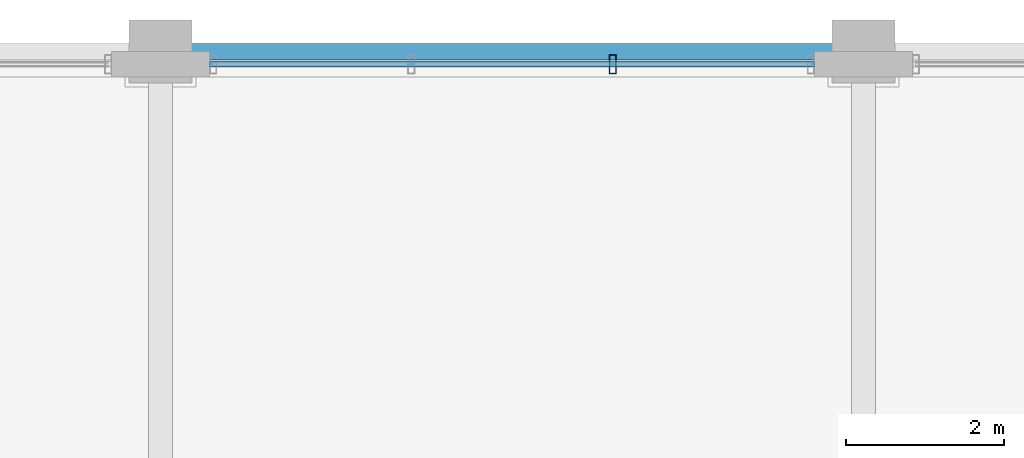
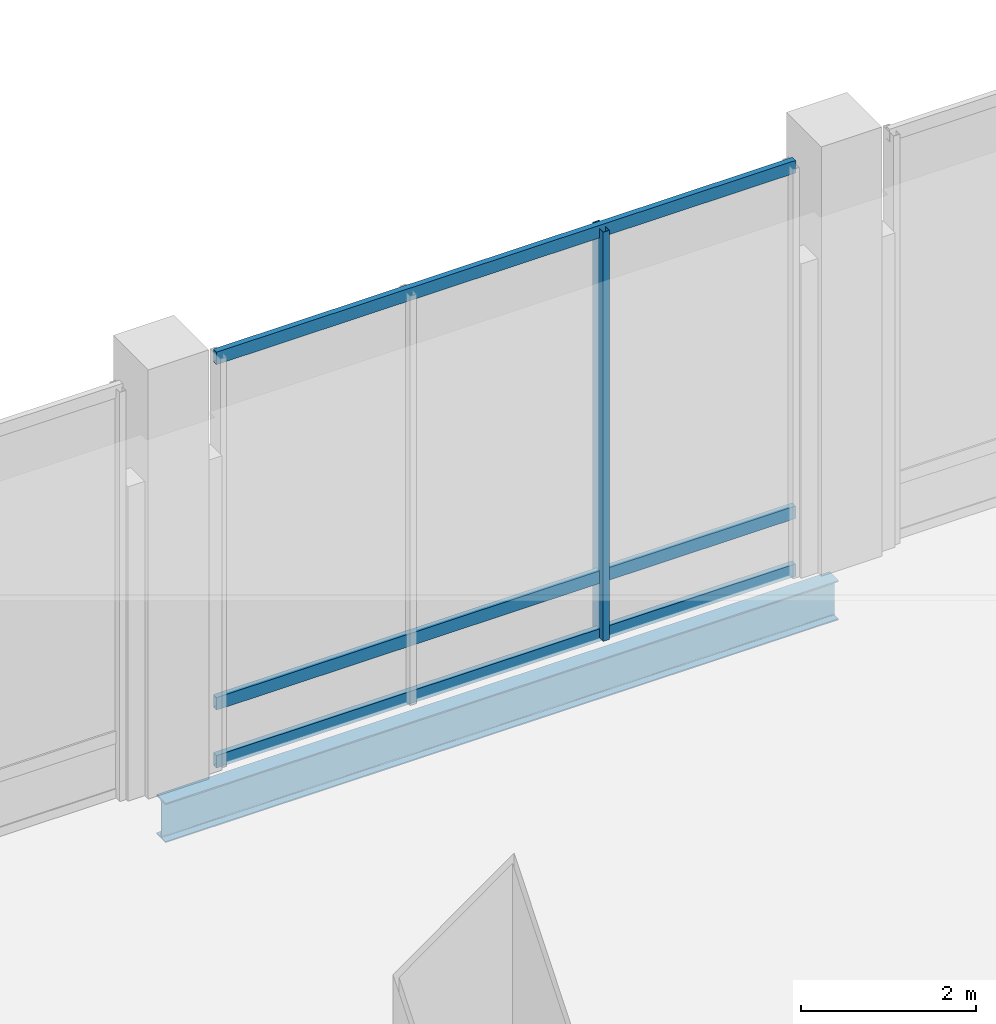
# One storey, part 18 of 38: 4 members, 1 beam, 1 element without a shape of its own.
"""IFC4 building model written with IfcOpenShell, lengths in metres."""

from ifc_helpers import new_model, si_unit, direction, frame, origin, origin_2d, place, context, subcontext, project, spatial, hollow_rectangle, i_section, extrude, material, material_profile, profile_set, type_object, element, aggregate, save


model = new_model("IFC4")

# Units and contexts
model_context = context("Model", 3, precision=1e-05, world=origin(), true_north=direction((0.0, 1.0)))
body_context = subcontext(model_context, "Body", "Model", "MODEL_VIEW")
ifc_project = project(units=[si_unit("LENGTHUNIT", "METRE"), si_unit("AREAUNIT", "SQUARE_METRE"), si_unit("VOLUMEUNIT", "CUBIC_METRE"), si_unit("PLANEANGLEUNIT", "RADIAN"), si_unit("MASSUNIT", "GRAM", prefix="KILO")], contexts=[model_context])

# Site, building, storey
site_placement = place(None, origin())
site = spatial("IfcSite", under=ifc_project, at=site_placement, CompositionType="ELEMENT")
building_placement = place(site_placement, origin())
building = spatial("IfcBuilding", under=site, at=building_placement, Name="Punatoya Terracotta Tower", CompositionType="ELEMENT")
storey_placement = place(building_placement, frame((0.0, 0.0, 22.199951171875)))
storey = spatial("IfcBuildingStorey", under=building, at=storey_placement, Name="L04", CompositionType="ELEMENT", Elevation=22.199951171875)

# Beam
ifc_material_1 = material(Name="Steel S355", Category="steel")
ifc_material_profile_1 = material_profile(ifc_material_1, i_section(OverallWidth=0.2099609375, OverallDepth=0.550048828125, WebThickness=0.010986328125, FlangeThickness=0.01708984375, FilletRadius=0.01806640625, at=origin_2d()))
ifc_profile_set_1 = profile_set([ifc_material_profile_1], Name="Steel S355")
beam_type = type_object("IfcBeamType", Name="BM-SPN-550", PredefinedType="SPANDREL", material=ifc_profile_set_1)
beam_placement = place(storey_placement, frame((19.10009765625, 25.0, -0.655029296875), z_axis=(1.0, 0.0, 0.0), x_axis=(0.0, 1.0, 0.0)))
element("IfcBeam", 1, at=beam_placement, inside=storey, type_object=beam_type, Name="BM-L04-HE1", PredefinedType="SPANDREL", context=body_context, shape_type="SweptSolid", body=[
    extrude(i_section(OverallWidth=0.2099609375, OverallDepth=0.550048828125, WebThickness=0.010986328125, FlangeThickness=0.01708984375, FilletRadius=0.01806640625, at=origin_2d()), origin(), (0.0, 0.0, 1.0), 8.89990234375),
])

# Curtain wall, members
ifc_material_2 = material(Name="Aluminium 6063-T6 + Double Low-E Glass", Category="aluminium")
curtain_wall_type = type_object("IfcCurtainWallType", Name="CW-POD", PredefinedType="NOTDEFINED", material=ifc_material_2)
curtain_wall_placement = place(storey_placement, origin())
curtain_wall = element("IfcCurtainWall", 2, at=curtain_wall_placement, inside=storey, type_object=curtain_wall_type, Name="L04 Curtain Wall CWP-L04-N6", PredefinedType="NOTDEFINED")
ifc_material_3 = material(Name="Aluminium 6063-T6", Category="aluminium")
ifc_material_profile_2 = material_profile(ifc_material_3, hollow_rectangle(XDim=0.0849609375, YDim=0.239990234375, WallThickness=0.0048828125, at=origin_2d()))
ifc_profile_set_2 = profile_set([ifc_material_profile_2], Name="Aluminium 6063-T6")
member_type_1 = type_object("IfcMemberType", Name="CW-MUL-POD", PredefinedType="MULLION", material=ifc_profile_set_2)
member_1_placement = place(storey_placement, frame((24.82666015625, 24.840087890625, 0.0), z_axis=(0.0, 0.0, 1.0), x_axis=(1.0, 0.0, 0.0)))
member_1 = element("IfcMember", 3, at=member_1_placement, type_object=member_type_1, Name="CWP-L04-N6 Mullion 01", PredefinedType="MULLION", context=body_context, shape_type="SweptSolid", body=[
    extrude(hollow_rectangle(XDim=0.0849609375, YDim=0.239990234375, WallThickness=0.0048828125, at=origin_2d()), origin(), (0.0, 0.0, 1.0), 5.719970703125),
])
ifc_material_profile_3 = material_profile(ifc_material_3, hollow_rectangle(XDim=0.074951171875, YDim=0.175048828125, WallThickness=0.00439453125, at=origin_2d()))
ifc_profile_set_3 = profile_set([ifc_material_profile_3], Name="Aluminium 6063-T6")
member_type_2 = type_object("IfcMemberType", Name="CW-TRN-POD", PredefinedType="USERDEFINED", material=ifc_profile_set_3)
member_2_placement = place(storey_placement, frame((27.3798828125, 24.840087890625, 0.0400390625), z_axis=(-1.0, 0.0, 0.0), x_axis=(0.0, -1.0, 0.0)))
member_2 = element("IfcMember", 4, at=member_2_placement, type_object=member_type_2, Name="CWP-L04-N6 Transom 1", ObjectType="TRANSOM", PredefinedType="USERDEFINED", context=body_context, shape_type="SweptSolid", body=[
    extrude(hollow_rectangle(XDim=0.074951171875, YDim=0.175048828125, WallThickness=0.00439453125, at=origin_2d()), origin(), (0.0, 0.0, 1.0), 7.659912109375),
])
member_3_placement = place(storey_placement, frame((27.3798828125, 24.840087890625, 0.85009765625), z_axis=(-1.0, 0.0, 0.0), x_axis=(0.0, -1.0, 0.0)))
member_3 = element("IfcMember", 5, at=member_3_placement, type_object=member_type_2, Name="CWP-L04-N6 Transom 2", ObjectType="TRANSOM", PredefinedType="USERDEFINED", context=body_context, shape_type="SweptSolid", body=[
    extrude(hollow_rectangle(XDim=0.074951171875, YDim=0.175048828125, WallThickness=0.00439453125, at=origin_2d()), origin(), (0.0, 0.0, 1.0), 7.659912109375),
])
member_4_placement = place(storey_placement, frame((27.3798828125, 24.840087890625, 5.679931640625), z_axis=(-1.0, 0.0, 0.0), x_axis=(0.0, -1.0, 0.0)))
member_4 = element("IfcMember", 6, at=member_4_placement, type_object=member_type_2, Name="CWP-L04-N6 Transom 3", ObjectType="TRANSOM", PredefinedType="USERDEFINED", context=body_context, shape_type="SweptSolid", body=[
    extrude(hollow_rectangle(XDim=0.074951171875, YDim=0.175048828125, WallThickness=0.00439453125, at=origin_2d()), origin(), (0.0, 0.0, 1.0), 7.659912109375),
])
aggregate(curtain_wall, [member_1, member_2, member_3, member_4])

save(model, "model.ifc")
